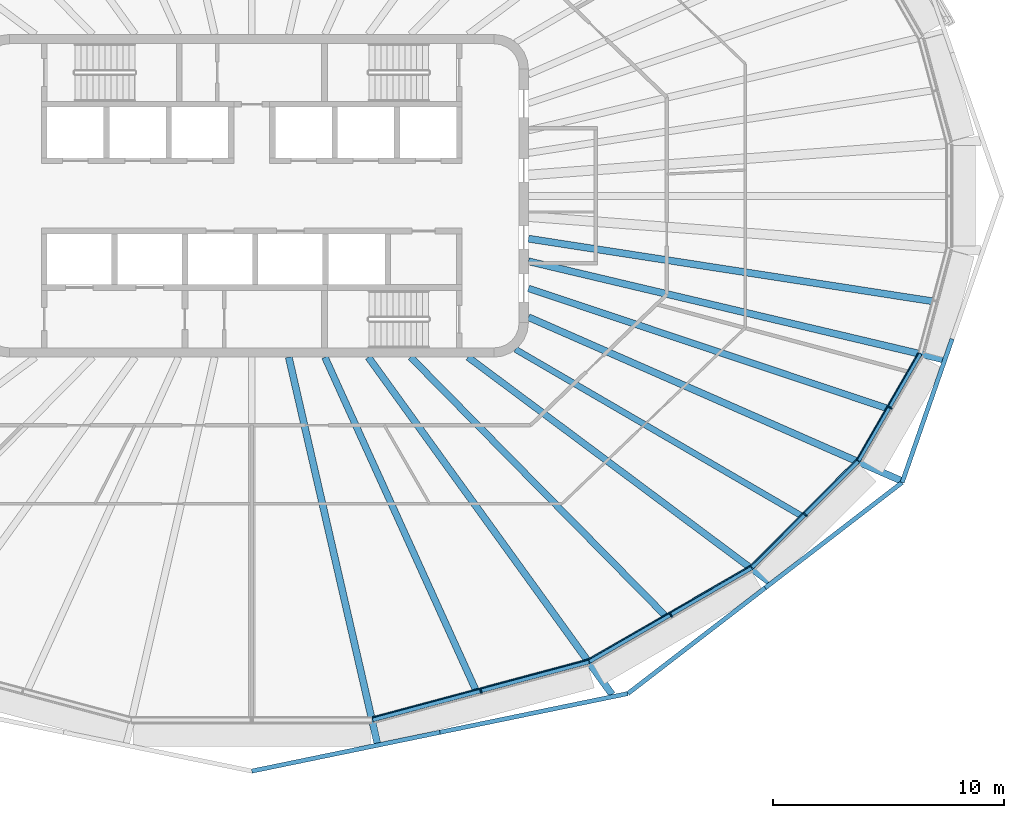
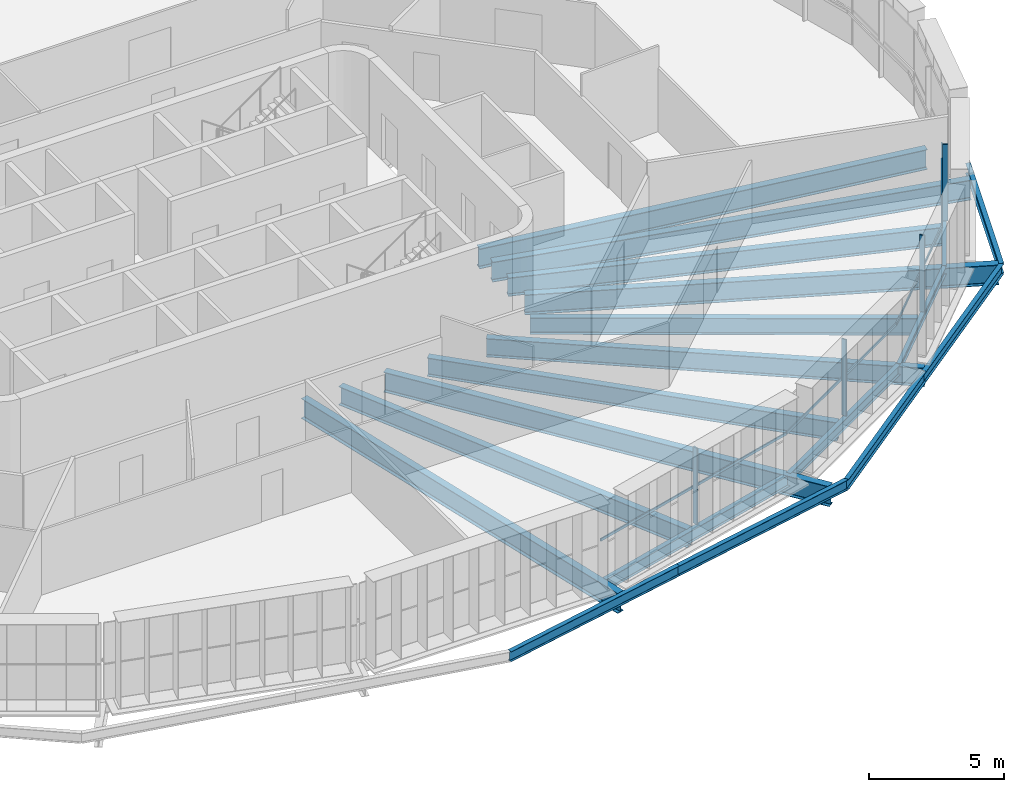
# One storey, part 4 of 20: 19 beams, 8 members, 4 elements without a shape of their own.
"""IFC4 building model written with IfcOpenShell, lengths in metres."""

from ifc_helpers import new_model, si_unit, direction, frame, origin, origin_2d, place, context, subcontext, project, spatial, rectangle, i_section, extrude, material, layer, layer_set, material_profile, profile_set, type_object, element, aggregate, save


model = new_model("IFC4")

# Units and contexts
model_context = context("Model", 3, precision=1e-05, world=origin(), true_north=direction((0.0, 1.0)))
body_context = subcontext(model_context, "Body", "Model", "MODEL_VIEW")
ifc_project = project(units=[si_unit("LENGTHUNIT", "METRE"), si_unit("AREAUNIT", "SQUARE_METRE"), si_unit("VOLUMEUNIT", "CUBIC_METRE"), si_unit("PLANEANGLEUNIT", "RADIAN"), si_unit("MASSUNIT", "GRAM", prefix="KILO")], contexts=[model_context])

# Site, building, storey
site_placement = place(None, origin())
site = spatial("IfcSite", under=ifc_project, at=site_placement, CompositionType="ELEMENT")
building_placement = place(site_placement, origin())
building = spatial("IfcBuilding", under=site, at=building_placement, Name="Sahrelin Media Tower", CompositionType="ELEMENT")
storey_placement = place(building_placement, frame((0.0, 0.0, 255.0)))
storey = spatial("IfcBuildingStorey", under=building, at=storey_placement, Name="L55", CompositionType="ELEMENT", Elevation=255.0)

# Beams
ifc_material_1 = material(Name="Steel S355", Category="steel")
ifc_material_profile_1 = material_profile(ifc_material_1, i_section(OverallWidth=0.1650390625, OverallDepth=0.303466796875, WebThickness=0.006103515625, FlangeThickness=0.01025390625, FilletRadius=0.0087890625, at=origin_2d()), Name="UB 305x165x40")
ifc_profile_set_1 = profile_set([ifc_material_profile_1], Name="Steel S355")
beam_type_1 = type_object("IfcBeamType", Name="Edge beam EB2", PredefinedType="BEAM", material=ifc_profile_set_1)
beam_1_placement = place(storey_placement, frame((28.994384765625, -6.848876953125, -0.3017578125), z_axis=(-0.500040680786, -0.866001915448, 0.0), x_axis=(0.866001915448, -0.500040680786, 0.0)))
element("IfcBeam", 1, at=beam_1_placement, inside=storey, type_object=beam_type_1, Name="Edge beam L55-03", PredefinedType="BEAM", context=body_context, shape_type="SweptSolid", body=[
    extrude(i_section(OverallWidth=0.1650390625, OverallDepth=0.303466796875, WebThickness=0.006103515625, FlangeThickness=0.01025390625, FilletRadius=0.0087890625, at=origin_2d()), origin(), (0.0, 0.0, 1.0), 5.35693359375),
])
ifc_material_profile_2 = material_profile(ifc_material_1, i_section(OverallWidth=0.17138671875, OverallDepth=0.35498046875, WebThickness=0.00732421875, FlangeThickness=0.011474609375, FilletRadius=0.01025390625, at=origin_2d()), Name="UB 356x171x51")
ifc_profile_set_2 = profile_set([ifc_material_profile_2], Name="Steel S355")
beam_type_2 = type_object("IfcBeamType", Name="Edge beam EB3", PredefinedType="BEAM", material=ifc_profile_set_2)
beam_2_placement = place(storey_placement, frame((26.298095703125, -11.510986328125, -0.327392578125), z_axis=(-0.707088031255, -0.707125530621, 0.0), x_axis=(0.707125530621, -0.707088031255, 0.0)))
element("IfcBeam", 2, at=beam_2_placement, inside=storey, type_object=beam_type_2, Name="Edge beam L55-04", PredefinedType="BEAM", context=body_context, shape_type="SweptSolid", body=[
    extrude(i_section(OverallWidth=0.17138671875, OverallDepth=0.35498046875, WebThickness=0.00732421875, FlangeThickness=0.011474609375, FilletRadius=0.01025390625, at=origin_2d()), origin(), (0.0, 0.0, 1.0), 6.510498046875),
])
ifc_material_profile_3 = material_profile(ifc_material_1, i_section(OverallWidth=0.1904296875, OverallDepth=0.45703125, WebThickness=0.009033203125, FlangeThickness=0.014404296875, FilletRadius=0.01025390625, at=origin_2d()), Name="UB 457x191x74")
ifc_profile_set_3 = profile_set([ifc_material_profile_3], Name="Steel S355")
beam_type_3 = type_object("IfcBeamType", Name="Edge beam EB5", PredefinedType="BEAM", material=ifc_profile_set_3)
beam_3_placement = place(storey_placement, frame((21.671630859375, -16.132080078125, -0.37841796875), z_axis=(-0.866013664775, -0.500020332009, 0.0), x_axis=(0.500020332009, -0.866013664775, 0.0)))
element("IfcBeam", 3, at=beam_3_placement, inside=storey, type_object=beam_type_3, Name="Edge beam L55-05", PredefinedType="BEAM", context=body_context, shape_type="SweptSolid", body=[
    extrude(i_section(OverallWidth=0.1904296875, OverallDepth=0.45703125, WebThickness=0.009033203125, FlangeThickness=0.014404296875, FilletRadius=0.01025390625, at=origin_2d()), origin(), (0.0, 0.0, 1.0), 8.111572265625),
])
ifc_material_profile_4 = material_profile(ifc_material_1, i_section(OverallWidth=0.208740234375, OverallDepth=0.5283203125, WebThickness=0.009521484375, FlangeThickness=0.01318359375, FilletRadius=0.0126953125, at=origin_2d()), Name="UB 533x210x82")
ifc_profile_set_4 = profile_set([ifc_material_profile_4], Name="Steel S355")
beam_type_4 = type_object("IfcBeamType", Name="Edge beam EB6", PredefinedType="BEAM", material=ifc_profile_set_4)
beam_4_placement = place(storey_placement, frame((14.620361328125, -20.198974609375, -0.414306640625), z_axis=(-0.965930098294, -0.258803101237, 0.0), x_axis=(0.258803101237, -0.965930098294, 0.0)))
element("IfcBeam", 4, at=beam_4_placement, inside=storey, type_object=beam_type_4, Name="Edge beam L55-06", PredefinedType="BEAM", context=body_context, shape_type="SweptSolid", body=[
    extrude(i_section(OverallWidth=0.208740234375, OverallDepth=0.5283203125, WebThickness=0.009521484375, FlangeThickness=0.01318359375, FilletRadius=0.0126953125, at=origin_2d()), origin(), (0.0, 0.0, 1.0), 9.711669921875),
])

# Curtain wall, member
ifc_material_2 = material(Name="Champagne anodised aluminium 6063-T6", Category="aluminium")
ifc_layer = layer(ifc_material_2, 0.14990234375)
ifc_layer_set = layer_set([ifc_layer], Name="Tower ribbon curtain wall")
curtain_wall_type = type_object("IfcCurtainWallType", Name="Tower ribbon curtain wall", PredefinedType="NOTDEFINED", material=ifc_layer_set)
curtain_wall_1_placement = place(storey_placement, frame((9.96875, -21.6005859375, 0.0), z_axis=(0.0, 0.0, 1.0), x_axis=(1.0, 0.0, 0.0)))
curtain_wall_1 = element("IfcCurtainWall", 5, at=curtain_wall_1_placement, inside=storey, type_object=curtain_wall_type, Name="L55:CW:L55-19", PredefinedType="NOTDEFINED")
ifc_material_profile_5 = material_profile(ifc_material_2, rectangle(XDim=0.06005859375, YDim=0.199951171875, at=origin_2d()), Name="Mullion 60x200")
ifc_profile_set_5 = profile_set([ifc_material_profile_5], Name="Champagne anodised aluminium 6063-T6")
member_type_1 = type_object("IfcMemberType", Name="Mullion 60x200 CW1C", PredefinedType="MULLION", material=ifc_profile_set_5)
member_1_placement = place(storey_placement, frame((9.937744140625, -21.484619140625, 0.0), z_axis=(0.0, 0.0, 1.0), x_axis=(0.965926729732, 0.258815673384, 0.0)))
member_1 = element("IfcMember", 6, at=member_1_placement, type_object=member_type_1, Name="L55:CWM:L55-19", PredefinedType="MULLION", context=body_context, shape_type="SweptSolid", body=[
    extrude(rectangle(XDim=0.06005859375, YDim=0.199951171875, at=origin_2d()), origin(), (0.0, 0.0, 1.0), 3.448486328125),
])

curtain_wall_2_placement = place(storey_placement, frame((18.234375, -18.2900390625, 0.0), z_axis=(0.0, 0.0, 1.0), x_axis=(1.0, 0.0, 0.0)))
curtain_wall_2 = element("IfcCurtainWall", 7, at=curtain_wall_2_placement, inside=storey, type_object=curtain_wall_type, Name="L55:CW:L55-20", PredefinedType="NOTDEFINED")
member_2_placement = place(storey_placement, frame((18.17431640625, -18.18603515625, 0.0), z_axis=(0.0, 0.0, 1.0), x_axis=(0.866022785779, 0.500004534492, 0.0)))
member_2 = element("IfcMember", 8, at=member_2_placement, type_object=member_type_1, Name="L55:CWM:L55-20", PredefinedType="MULLION", context=body_context, shape_type="SweptSolid", body=[
    extrude(rectangle(XDim=0.06005859375, YDim=0.199951171875, at=origin_2d()), origin(), (0.0, 0.0, 1.0), 3.448486328125),
])

curtain_wall_3_placement = place(storey_placement, frame((24.102294921875, -13.9189453125, 0.0), z_axis=(0.0, 0.0, 1.0), x_axis=(1.0, 0.0, 0.0)))
curtain_wall_3 = element("IfcCurtainWall", 9, at=curtain_wall_3_placement, inside=storey, type_object=curtain_wall_type, Name="L55:CW:L55-21", PredefinedType="NOTDEFINED")
member_3_placement = place(storey_placement, frame((24.017578125, -13.833984375, 0.0), z_axis=(0.0, 0.0, 1.0), x_axis=(0.707106781187, 0.707106781187, 0.0)))
member_3 = element("IfcMember", 10, at=member_3_placement, type_object=member_type_1, Name="L55:CWM:L55-21", PredefinedType="MULLION", context=body_context, shape_type="SweptSolid", body=[
    extrude(rectangle(XDim=0.06005859375, YDim=0.199951171875, at=origin_2d()), origin(), (0.0, 0.0, 1.0), 3.448486328125),
])

curtain_wall_4_placement = place(storey_placement, frame((27.784912109375, -9.243408203125, 0.0), z_axis=(0.0, 0.0, 1.0), x_axis=(1.0, 0.0, 0.0)))
curtain_wall_4 = element("IfcCurtainWall", 11, at=curtain_wall_4_placement, inside=storey, type_object=curtain_wall_type, Name="L55:CW:L55-22", PredefinedType="NOTDEFINED")
member_4_placement = place(storey_placement, frame((27.680908203125, -9.183349609375, 0.0), z_axis=(0.0, 0.0, 1.0), x_axis=(0.5, 0.866025403784, 0.0)))
member_4 = element("IfcMember", 12, at=member_4_placement, type_object=member_type_1, Name="L55:CWM:L55-22", PredefinedType="MULLION", context=body_context, shape_type="SweptSolid", body=[
    extrude(rectangle(XDim=0.06005859375, YDim=0.199951171875, at=origin_2d()), origin(), (0.0, 0.0, 1.0), 3.448486328125),
])

# Beams
ifc_material_profile_6 = material_profile(ifc_material_1, i_section(OverallWidth=0.291748046875, OverallDepth=0.8349609375, WebThickness=0.013916015625, FlangeThickness=0.018798828125, FilletRadius=0.017822265625, at=origin_2d()), Name="UB 838x292x176")
ifc_profile_set_6 = profile_set([ifc_material_profile_6], Name="Steel S355")
beam_type_5 = type_object("IfcBeamType", Name="Radial primary beam PB10", PredefinedType="BEAM", material=ifc_profile_set_6)
beam_5_placement = place(storey_placement, frame((9.38330078125, -7.0, -0.5673828125), z_axis=(0.801539735745, -0.597941512209, 0.0), x_axis=(0.597941512209, 0.801539735745, 0.0)))
element("IfcBeam", 13, at=beam_5_placement, inside=storey, type_object=beam_type_5, Name="Radial beam L55-21", PredefinedType="BEAM", context=body_context, shape_type="SweptSolid", body=[
    extrude(i_section(OverallWidth=0.291748046875, OverallDepth=0.8349609375, WebThickness=0.013916015625, FlangeThickness=0.018798828125, FilletRadius=0.017822265625, at=origin_2d()), origin(), (0.0, 0.0, 1.0), 16.29736328125),
])
ifc_material_profile_7 = material_profile(ifc_material_1, i_section(OverallWidth=0.30322265625, OverallDepth=0.903076171875, WebThickness=0.01513671875, FlangeThickness=0.020263671875, FilletRadius=0.01904296875, at=origin_2d()), Name="UB 914x305x201")
ifc_profile_set_7 = profile_set([ifc_material_profile_7], Name="Steel S355")
beam_type_6 = type_object("IfcBeamType", Name="Radial primary beam PB11", PredefinedType="BEAM", material=ifc_profile_set_7)
beam_6_placement = place(storey_placement, frame((1.605712890625, -7.0, -0.6015625), z_axis=(0.223577449176, -0.97468616704, 0.0), x_axis=(0.97468616704, 0.223577449176, 0.0)))
element("IfcBeam", 14, at=beam_6_placement, inside=storey, type_object=beam_type_6, Name="Radial beam L55-19", PredefinedType="BEAM", context=body_context, shape_type="SweptSolid", body=[
    extrude(i_section(OverallWidth=0.30322265625, OverallDepth=0.903076171875, WebThickness=0.01513671875, FlangeThickness=0.020263671875, FilletRadius=0.01904296875, at=origin_2d()), origin(), (0.0, 0.0, 1.0), 17.164794921875),
])
beam_7_placement = place(storey_placement, frame((5.0576171875, -7.0, -0.6015625), z_axis=(0.585640185113, -0.810571140357, 0.0), x_axis=(0.810571140357, 0.585640185113, 0.0)))
element("IfcBeam", 15, at=beam_7_placement, inside=storey, type_object=beam_type_6, Name="Radial beam L55-20", PredefinedType="BEAM", context=body_context, shape_type="SweptSolid", body=[
    extrude(i_section(OverallWidth=0.30322265625, OverallDepth=0.903076171875, WebThickness=0.01513671875, FlangeThickness=0.020263671875, FilletRadius=0.01904296875, at=origin_2d()), origin(), (0.0, 0.0, 1.0), 18.049072265625),
])
beam_8_placement = place(storey_placement, frame((12.0, -5.263916015625, -0.6015625), z_axis=(0.915775333044, -0.401690850515, 0.0), x_axis=(0.401690850515, 0.915775333044, 0.0)))
element("IfcBeam", 16, at=beam_8_placement, inside=storey, type_object=beam_type_6, Name="Radial beam L55-22", PredefinedType="BEAM", context=body_context, shape_type="SweptSolid", body=[
    extrude(i_section(OverallWidth=0.30322265625, OverallDepth=0.903076171875, WebThickness=0.01513671875, FlangeThickness=0.020263671875, FilletRadius=0.01904296875, at=origin_2d()), origin(), (0.0, 0.0, 1.0), 17.620849609375),
])
beam_9_placement = place(storey_placement, frame((12.0, -2.8388671875, -0.6015625), z_axis=(0.973138948349, -0.230218563993, 0.0), x_axis=(0.230218563993, 0.973138948349, 0.0)))
element("IfcBeam", 17, at=beam_9_placement, inside=storey, type_object=beam_type_6, Name="Radial beam L55-23", PredefinedType="BEAM", context=body_context, shape_type="SweptSolid", body=[
    extrude(i_section(OverallWidth=0.30322265625, OverallDepth=0.903076171875, WebThickness=0.01513671875, FlangeThickness=0.020263671875, FilletRadius=0.01904296875, at=origin_2d()), origin(), (0.0, 0.0, 1.0), 18.460693359375),
])
ifc_material_profile_8 = material_profile(ifc_material_1, i_section(OverallWidth=0.291748046875, OverallDepth=0.8349609375, WebThickness=0.013916015625, FlangeThickness=0.018798828125, FilletRadius=0.017822265625, at=origin_2d()), Name="UB 838x292x176")
ifc_profile_set_8 = profile_set([ifc_material_profile_8], Name="Steel S355")
beam_type_7 = type_object("IfcBeamType", Name="Radial secondary beam SB10", PredefinedType="BEAM", material=ifc_profile_set_8)
beam_10_placement = place(storey_placement, frame((3.173095703125, -7.0, -0.5673828125), z_axis=(0.412850412091, -0.910798845649, 0.0), x_axis=(0.910798845649, 0.412850412091, 0.0)))
element("IfcBeam", 18, at=beam_10_placement, inside=storey, type_object=beam_type_7, Name="Secondary beam L55-19", PredefinedType="BEAM", context=body_context, shape_type="SweptSolid", body=[
    extrude(i_section(OverallWidth=0.291748046875, OverallDepth=0.8349609375, WebThickness=0.013916015625, FlangeThickness=0.018798828125, FilletRadius=0.017822265625, at=origin_2d()), origin(), (0.0, 0.0, 1.0), 15.8193359375),
])
beam_11_placement = place(storey_placement, frame((6.89404296875, -7.0, -0.5673828125), z_axis=(0.701692640236, -0.712479781214, 0.0), x_axis=(0.712479781214, 0.701692640236, 0.0)))
element("IfcBeam", 19, at=beam_11_placement, inside=storey, type_object=beam_type_7, Name="Secondary beam L55-20", PredefinedType="BEAM", context=body_context, shape_type="SweptSolid", body=[
    extrude(i_section(OverallWidth=0.291748046875, OverallDepth=0.8349609375, WebThickness=0.013916015625, FlangeThickness=0.018798828125, FilletRadius=0.017822265625, at=origin_2d()), origin(), (0.0, 0.0, 1.0), 15.70703125),
])
beam_12_placement = place(storey_placement, frame((12.0, -4.014404296875, -0.5673828125), z_axis=(0.948335470531, -0.317269341935, 0.0), x_axis=(0.317269341935, 0.948335470531, 0.0)))
element("IfcBeam", 20, at=beam_12_placement, inside=storey, type_object=beam_type_7, Name="Secondary beam L55-22", PredefinedType="BEAM", context=body_context, shape_type="SweptSolid", body=[
    extrude(i_section(OverallWidth=0.291748046875, OverallDepth=0.8349609375, WebThickness=0.013916015625, FlangeThickness=0.018798828125, FilletRadius=0.017822265625, at=origin_2d()), origin(), (0.0, 0.0, 1.0), 16.38134765625),
])
ifc_material_profile_9 = material_profile(ifc_material_1, i_section(OverallWidth=0.30322265625, OverallDepth=0.903076171875, WebThickness=0.01513671875, FlangeThickness=0.020263671875, FilletRadius=0.01904296875, at=origin_2d()), Name="UB 914x305x201")
ifc_profile_set_9 = profile_set([ifc_material_profile_9], Name="Steel S355")
beam_type_8 = type_object("IfcBeamType", Name="Radial secondary beam SB11", PredefinedType="BEAM", material=ifc_profile_set_9)
beam_13_placement = place(storey_placement, frame((12.0, -1.858642578125, -0.6015625), z_axis=(0.988217831214, -0.153053971101, 0.0), x_axis=(0.153053971101, 0.988217831214, 0.0)))
element("IfcBeam", 21, at=beam_13_placement, inside=storey, type_object=beam_type_8, Name="Secondary beam L55-23", PredefinedType="BEAM", context=body_context, shape_type="SweptSolid", body=[
    extrude(i_section(OverallWidth=0.30322265625, OverallDepth=0.903076171875, WebThickness=0.01513671875, FlangeThickness=0.020263671875, FilletRadius=0.01904296875, at=origin_2d()), origin(), (0.0, 0.0, 1.0), 17.740966796875),
])
ifc_material_profile_10 = material_profile(ifc_material_1, i_section(OverallWidth=0.26513671875, OverallDepth=0.75390625, WebThickness=0.0126953125, FlangeThickness=0.017578125, FilletRadius=0.0166015625, at=origin_2d()), Name="UB 762x267x147")
ifc_profile_set_10 = profile_set([ifc_material_profile_10], Name="Steel S355")
beam_type_9 = type_object("IfcBeamType", Name="Radial secondary beam SB9", PredefinedType="BEAM", material=ifc_profile_set_10)
beam_14_placement = place(storey_placement, frame((11.435546875, -6.65673828125, -0.527099609375), z_axis=(0.86424748062, -0.503066886449, 0.0), x_axis=(0.503066886449, 0.86424748062, 0.0)))
element("IfcBeam", 22, at=beam_14_placement, inside=storey, type_object=beam_type_9, Name="Secondary beam L55-21", PredefinedType="BEAM", context=body_context, shape_type="SweptSolid", body=[
    extrude(i_section(OverallWidth=0.26513671875, OverallDepth=0.75390625, WebThickness=0.0126953125, FlangeThickness=0.017578125, FilletRadius=0.0166015625, at=origin_2d()), origin(), (0.0, 0.0, 1.0), 14.33154296875),
])
ifc_material_profile_11 = material_profile(ifc_material_1, i_section(OverallWidth=0.1904296875, OverallDepth=0.45703125, WebThickness=0.009033203125, FlangeThickness=0.014404296875, FilletRadius=0.01025390625, at=origin_2d()), Name="UB 457x191x74")
ifc_profile_set_11 = profile_set([ifc_material_profile_11], Name="Steel S355")
beam_type_10 = type_object("IfcBeamType", Name="Tie chord TC5", PredefinedType="BEAM", material=ifc_profile_set_11)
beam_15_placement = place(storey_placement, frame((30.373291015625, -6.205322265625, -0.37841796875), z_axis=(-0.328710220354, -0.944430829143, 0.0), x_axis=(0.944430829143, -0.328710220354, 0.0)))
element("IfcBeam", 23, at=beam_15_placement, inside=storey, type_object=beam_type_10, Name="Tie chord L55-02", PredefinedType="BEAM", context=body_context, shape_type="SweptSolid", body=[
    extrude(i_section(OverallWidth=0.1904296875, OverallDepth=0.45703125, WebThickness=0.009033203125, FlangeThickness=0.014404296875, FilletRadius=0.01025390625, at=origin_2d()), origin(), (0.0, 0.0, 1.0), 6.592529296875),
])
beam_16_placement = place(storey_placement, frame((28.206298828125, -12.431396484375, -0.37841796875), z_axis=(-0.792439782885, -0.609950154112, 0.0), x_axis=(0.609950154112, -0.792439782885, 0.0)))
element("IfcBeam", 24, at=beam_16_placement, inside=storey, type_object=beam_type_10, Name="Tie chord L55-03", PredefinedType="BEAM", context=body_context, shape_type="SweptSolid", body=[
    extrude(i_section(OverallWidth=0.1904296875, OverallDepth=0.45703125, WebThickness=0.009033203125, FlangeThickness=0.014404296875, FilletRadius=0.01025390625, at=origin_2d()), origin(), (0.0, 0.0, 1.0), 7.490478515625),
])
beam_17_placement = place(storey_placement, frame((22.2705078125, -17.000244140625, -0.37841796875), z_axis=(-0.79247670773, -0.609902178801, 0.0), x_axis=(0.609902178801, -0.79247670773, 0.0)))
element("IfcBeam", 25, at=beam_17_placement, inside=storey, type_object=beam_type_10, Name="Tie chord L55-04", PredefinedType="BEAM", context=body_context, shape_type="SweptSolid", body=[
    extrude(i_section(OverallWidth=0.1904296875, OverallDepth=0.45703125, WebThickness=0.009033203125, FlangeThickness=0.014404296875, FilletRadius=0.01025390625, at=origin_2d()), origin(), (0.0, 0.0, 1.0), 7.51904296875),
])
beam_18_placement = place(storey_placement, frame((16.311767578125, -21.586181640625, -0.37841796875), z_axis=(-0.979395476459, -0.201951728619, 0.0), x_axis=(0.201951728619, -0.979395476459, 0.0)))
element("IfcBeam", 26, at=beam_18_placement, inside=storey, type_object=beam_type_10, Name="Tie chord L55-05", PredefinedType="BEAM", context=body_context, shape_type="SweptSolid", body=[
    extrude(i_section(OverallWidth=0.1904296875, OverallDepth=0.45703125, WebThickness=0.009033203125, FlangeThickness=0.014404296875, FilletRadius=0.01025390625, at=origin_2d()), origin(), (0.0, 0.0, 1.0), 8.322021484375),
])
beam_19_placement = place(storey_placement, frame((8.1611328125, -23.266845703125, -0.37841796875), z_axis=(-0.979377314884, -0.202039785911, 0.0), x_axis=(0.202039785911, -0.979377314884, 0.0)))
element("IfcBeam", 27, at=beam_19_placement, inside=storey, type_object=beam_type_10, Name="Tie chord L55-06", PredefinedType="BEAM", context=body_context, shape_type="SweptSolid", body=[
    extrude(i_section(OverallWidth=0.1904296875, OverallDepth=0.45703125, WebThickness=0.009033203125, FlangeThickness=0.014404296875, FilletRadius=0.01025390625, at=origin_2d()), origin(), (0.0, 0.0, 1.0), 8.3330078125),
])

# Member
ifc_material_profile_12 = material_profile(ifc_material_2, rectangle(XDim=0.050048828125, YDim=0.1201171875, at=origin_2d()), Name="Transom 50x120")
ifc_profile_set_12 = profile_set([ifc_material_profile_12], Name="Champagne anodised aluminium 6063-T6")
member_type_2 = type_object("IfcMemberType", Name="Transom 50x120 CW1C", PredefinedType="USERDEFINED", material=ifc_profile_set_12)
member_5_placement = place(storey_placement, frame((5.22998046875, -22.61669921875, 1.60009765625), z_axis=(0.96592868915, 0.258808360524, 0.0), x_axis=(-0.258808360524, 0.96592868915, 0.0)))
member_5 = element("IfcMember", 28, at=member_5_placement, type_object=member_type_2, Name="L55:CWT:L55-19", ObjectType="TRANSOM", PredefinedType="USERDEFINED", context=body_context, shape_type="SweptSolid", body=[
    extrude(rectangle(XDim=0.050048828125, YDim=0.1201171875, at=origin_2d()), origin(), (0.0, 0.0, 1.0), 9.680419921875),
])

aggregate(curtain_wall_1, [member_1, member_5])

member_6_placement = place(storey_placement, frame((14.613037109375, -20.097900390625, 1.60009765625), z_axis=(0.866025579307, 0.499999695987, 0.0), x_axis=(-0.499999695987, 0.866025579307, 0.0)))
member_6 = element("IfcMember", 29, at=member_6_placement, type_object=member_type_2, Name="L55:CWT:L55-20", ObjectType="TRANSOM", PredefinedType="USERDEFINED", context=body_context, shape_type="SweptSolid", body=[
    extrude(rectangle(XDim=0.050048828125, YDim=0.1201171875, at=origin_2d()), origin(), (0.0, 0.0, 1.0), 8.080078125),
])

aggregate(curtain_wall_2, [member_2, member_6])

member_7_placement = place(storey_placement, frame((21.638427734375, -16.036376953125, 1.60009765625), z_axis=(0.707106781187, 0.707106781187, 0.0), x_axis=(-0.707106781187, 0.707106781187, 0.0)))
member_7 = element("IfcMember", 30, at=member_7_placement, type_object=member_type_2, Name="L55:CWT:L55-21", ObjectType="TRANSOM", PredefinedType="USERDEFINED", context=body_context, shape_type="SweptSolid", body=[
    extrude(rectangle(XDim=0.050048828125, YDim=0.1201171875, at=origin_2d()), origin(), (0.0, 0.0, 1.0), 6.479248046875),
])

aggregate(curtain_wall_3, [member_3, member_7])

member_8_placement = place(storey_placement, frame((26.2412109375, -11.427001953125, 1.60009765625), z_axis=(0.500009491695, 0.866019923683, 0.0), x_axis=(-0.866019923683, 0.500009491695, 0.0)))
member_8 = element("IfcMember", 31, at=member_8_placement, type_object=member_type_2, Name="L55:CWT:L55-22", ObjectType="TRANSOM", PredefinedType="USERDEFINED", context=body_context, shape_type="SweptSolid", body=[
    extrude(rectangle(XDim=0.050048828125, YDim=0.1201171875, at=origin_2d()), origin(), (0.0, 0.0, 1.0), 5.32568359375),
])

aggregate(curtain_wall_4, [member_4, member_8])

save(model, "model.ifc")
